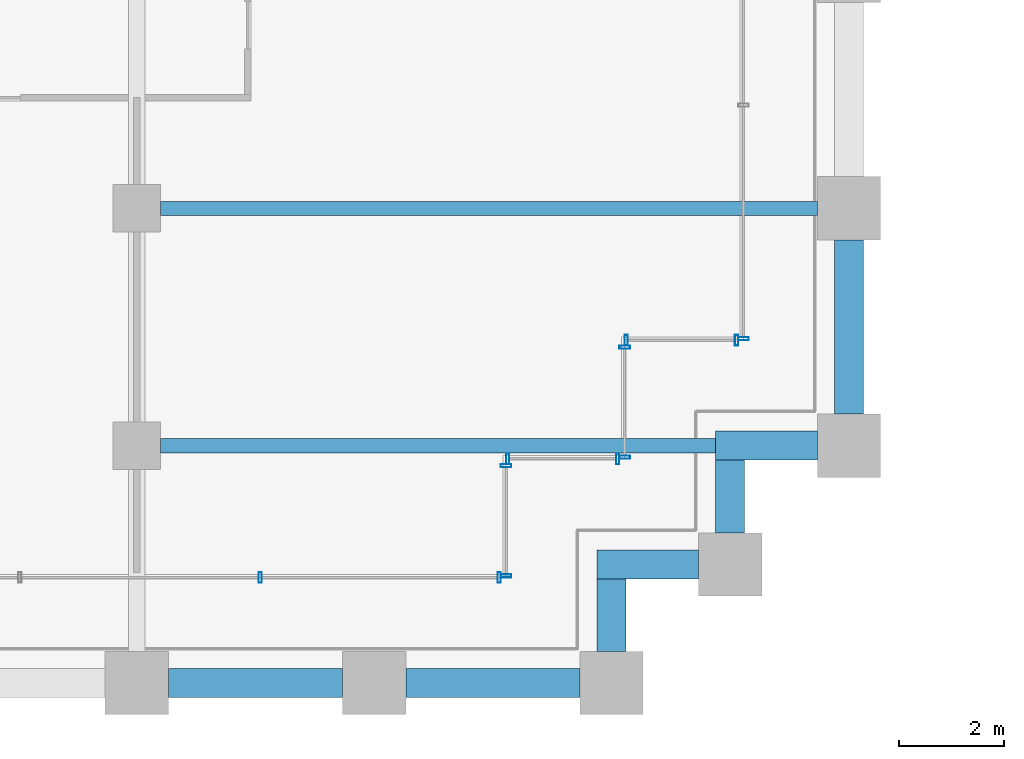
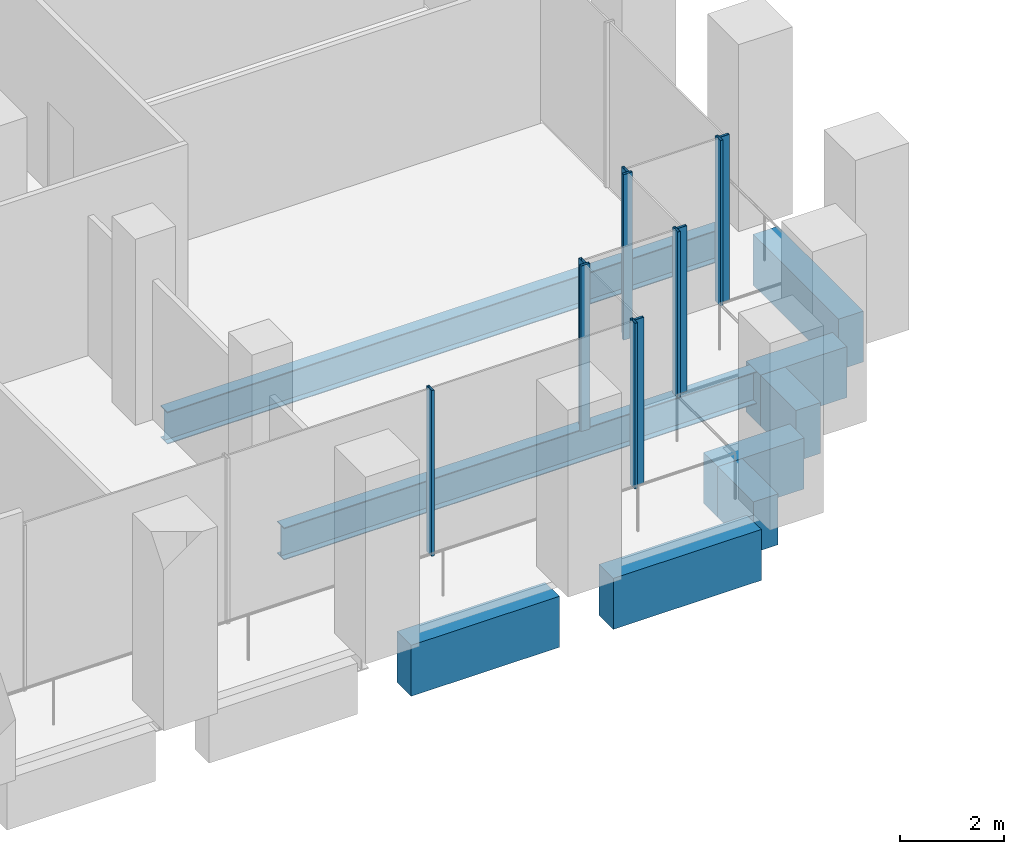
# One storey, part 9 of 36: 11 members, 9 beams, 6 elements without a shape of their own.
"""IFC4 building model written with IfcOpenShell, lengths in metres."""

from ifc_helpers import new_model, si_unit, direction, frame, origin, origin_2d, place, context, subcontext, project, spatial, rectangle, hollow_rectangle, i_section, extrude, material, material_profile, profile_set, type_object, element, aggregate, save


model = new_model("IFC4")

# Units and contexts
model_context = context("Model", 3, precision=1e-05, world=origin(), true_north=direction((0.0, 1.0)))
body_context = subcontext(model_context, "Body", "Model", "MODEL_VIEW")
ifc_project = project(units=[si_unit("LENGTHUNIT", "METRE"), si_unit("AREAUNIT", "SQUARE_METRE"), si_unit("VOLUMEUNIT", "CUBIC_METRE"), si_unit("PLANEANGLEUNIT", "RADIAN"), si_unit("MASSUNIT", "GRAM", prefix="KILO")], contexts=[model_context])

# Site, building, storey
site_placement = place(None, origin())
site = spatial("IfcSite", under=ifc_project, at=site_placement, CompositionType="ELEMENT")
building_placement = place(site_placement, origin())
building = spatial("IfcBuilding", under=site, at=building_placement, Name="Altepetl Exchange Towers", CompositionType="ELEMENT")
storey_placement = place(building_placement, frame((0.0, 0.0, 29.800048828125)))
storey = spatial("IfcBuildingStorey", under=building, at=storey_placement, Name="L06", CompositionType="ELEMENT", Elevation=29.800048828125)

# Beams
ifc_material_1 = material(Name="Steel S355", Category="steel")
ifc_material_profile_1 = material_profile(ifc_material_1, i_section(OverallWidth=0.26611328125, OverallDepth=0.758056640625, WebThickness=0.013916015625, FlangeThickness=0.019287109375, at=origin_2d()), Name="W30X108")
ifc_profile_set_1 = profile_set([ifc_material_profile_1], Name="Steel S355")
beam_type_1 = type_object("IfcBeamType", Name="Floor beam W30X108", PredefinedType="BEAM", material=ifc_profile_set_1)
beam_1_placement = place(storey_placement, frame((58.949951171875, 31.5, -0.553955078125), z_axis=(1.0, 0.0, 0.0), x_axis=(0.0, 1.0, 0.0)))
element("IfcBeam", 1, at=beam_1_placement, inside=storey, type_object=beam_type_1, Name="bm:A:L06:006", PredefinedType="BEAM", context=body_context, shape_type="SweptSolid", body=[
    extrude(i_section(OverallWidth=0.26611328125, OverallDepth=0.758056640625, WebThickness=0.013916015625, FlangeThickness=0.019287109375, at=origin_2d()), origin(), (0.0, 0.0, 1.0), 10.525146484375),
])
beam_2_placement = place(storey_placement, frame((58.949951171875, 36.0, -0.553955078125), z_axis=(1.0, 0.0, 0.0), x_axis=(0.0, 1.0, 0.0)))
element("IfcBeam", 2, at=beam_2_placement, inside=storey, type_object=beam_type_1, Name="bm:A:L06:007", PredefinedType="BEAM", context=body_context, shape_type="SweptSolid", body=[
    extrude(i_section(OverallWidth=0.26611328125, OverallDepth=0.758056640625, WebThickness=0.013916015625, FlangeThickness=0.019287109375, at=origin_2d()), origin(), (0.0, 0.0, 1.0), 12.449951171875),
])

# Curtain wall, members
ifc_material_2 = material(Name="Aluminium 6063-T6 glazing", Category="aluminium")
curtain_wall_type = type_object("IfcCurtainWallType", Name="Trading floor glazing system", PredefinedType="NOTDEFINED", material=ifc_material_2)
curtain_wall_1_placement = place(storey_placement, origin())
curtain_wall_1 = element("IfcCurtainWall", 3, at=curtain_wall_1_placement, inside=storey, type_object=curtain_wall_type, Name="CW2 run", PredefinedType="NOTDEFINED")
ifc_material_3 = material(Name="Aluminium 6063-T6", Category="aluminium")
ifc_material_profile_2 = material_profile(ifc_material_3, hollow_rectangle(XDim=0.06005859375, YDim=0.199951171875, WallThickness=0.0029296875, at=origin_2d()), Name="Mullion 60x200 aluminium")
ifc_profile_set_2 = profile_set([ifc_material_profile_2], Name="Aluminium 6063-T6")
member_type = type_object("IfcMemberType", Name="Mullion 60x200 aluminium", PredefinedType="MULLION", material=ifc_profile_set_2)
member_1_placement = place(storey_placement, frame((60.8427734375, 29.0, 0.0)))
member_1 = element("IfcMember", 4, at=member_1_placement, type_object=member_type, Name="MU2 mullion", PredefinedType="MULLION", context=body_context, shape_type="SweptSolid", body=[
    extrude(hollow_rectangle(XDim=0.06005859375, YDim=0.199951171875, WallThickness=0.0029296875, at=origin_2d()), origin(), (0.0, 0.0, 1.0), 3.89990234375),
])
member_2_placement = place(storey_placement, frame((65.3701171875, 29.0, 0.0)))
member_2 = element("IfcMember", 5, at=member_2_placement, type_object=member_type, Name="MU2 mullion", PredefinedType="MULLION", context=body_context, shape_type="SweptSolid", body=[
    extrude(hollow_rectangle(XDim=0.06005859375, YDim=0.199951171875, WallThickness=0.0029296875, at=origin_2d()), origin(), (0.0, 0.0, 1.0), 3.89990234375),
])
aggregate(curtain_wall_1, [member_1, member_2])

curtain_wall_2_placement = place(storey_placement, origin())
curtain_wall_2 = element("IfcCurtainWall", 6, at=curtain_wall_2_placement, inside=storey, type_object=curtain_wall_type, Name="CW2 run", PredefinedType="NOTDEFINED")
member_3_placement = place(storey_placement, frame((65.5, 29.030029296875, 0.0), z_axis=(0.0, 0.0, 1.0), x_axis=(0.0, 1.0, 0.0)))
member_3 = element("IfcMember", 7, at=member_3_placement, type_object=member_type, Name="MU2 mullion", PredefinedType="MULLION", context=body_context, shape_type="SweptSolid", body=[
    extrude(hollow_rectangle(XDim=0.06005859375, YDim=0.199951171875, WallThickness=0.0029296875, at=origin_2d()), origin(), (0.0, 0.0, 1.0), 3.89990234375),
])
member_4_placement = place(storey_placement, frame((65.5, 31.1201171875, 0.0), z_axis=(0.0, 0.0, 1.0), x_axis=(0.0, 1.0, 0.0)))
member_4 = element("IfcMember", 8, at=member_4_placement, type_object=member_type, Name="MU2 mullion", PredefinedType="MULLION", context=body_context, shape_type="SweptSolid", body=[
    extrude(hollow_rectangle(XDim=0.06005859375, YDim=0.199951171875, WallThickness=0.0029296875, at=origin_2d()), origin(), (0.0, 0.0, 1.0), 3.89990234375),
])
aggregate(curtain_wall_2, [member_3, member_4])

curtain_wall_3_placement = place(storey_placement, origin())
curtain_wall_3 = element("IfcCurtainWall", 9, at=curtain_wall_3_placement, inside=storey, type_object=curtain_wall_type, Name="CW2 run", PredefinedType="NOTDEFINED")
member_5_placement = place(storey_placement, frame((65.530029296875, 31.25, 0.0)))
member_5 = element("IfcMember", 10, at=member_5_placement, type_object=member_type, Name="MU2 mullion", PredefinedType="MULLION", context=body_context, shape_type="SweptSolid", body=[
    extrude(hollow_rectangle(XDim=0.06005859375, YDim=0.199951171875, WallThickness=0.0029296875, at=origin_2d()), origin(), (0.0, 0.0, 1.0), 3.89990234375),
])
member_6_placement = place(storey_placement, frame((67.6201171875, 31.25, 0.0)))
member_6 = element("IfcMember", 11, at=member_6_placement, type_object=member_type, Name="MU2 mullion", PredefinedType="MULLION", context=body_context, shape_type="SweptSolid", body=[
    extrude(hollow_rectangle(XDim=0.06005859375, YDim=0.199951171875, WallThickness=0.0029296875, at=origin_2d()), origin(), (0.0, 0.0, 1.0), 3.89990234375),
])
aggregate(curtain_wall_3, [member_5, member_6])

curtain_wall_4_placement = place(storey_placement, origin())
curtain_wall_4 = element("IfcCurtainWall", 12, at=curtain_wall_4_placement, inside=storey, type_object=curtain_wall_type, Name="CW2 run", PredefinedType="NOTDEFINED")
member_7_placement = place(storey_placement, frame((67.75, 31.280029296875, 0.0), z_axis=(0.0, 0.0, 1.0), x_axis=(0.0, 1.0, 0.0)))
member_7 = element("IfcMember", 13, at=member_7_placement, type_object=member_type, Name="MU2 mullion", PredefinedType="MULLION", context=body_context, shape_type="SweptSolid", body=[
    extrude(hollow_rectangle(XDim=0.06005859375, YDim=0.199951171875, WallThickness=0.0029296875, at=origin_2d()), origin(), (0.0, 0.0, 1.0), 3.89990234375),
])
member_8_placement = place(storey_placement, frame((67.75, 33.3701171875, 0.0), z_axis=(0.0, 0.0, 1.0), x_axis=(0.0, 1.0, 0.0)))
member_8 = element("IfcMember", 14, at=member_8_placement, type_object=member_type, Name="MU2 mullion", PredefinedType="MULLION", context=body_context, shape_type="SweptSolid", body=[
    extrude(hollow_rectangle(XDim=0.06005859375, YDim=0.199951171875, WallThickness=0.0029296875, at=origin_2d()), origin(), (0.0, 0.0, 1.0), 3.89990234375),
])
aggregate(curtain_wall_4, [member_7, member_8])

curtain_wall_5_placement = place(storey_placement, origin())
curtain_wall_5 = element("IfcCurtainWall", 15, at=curtain_wall_5_placement, inside=storey, type_object=curtain_wall_type, Name="CW2 run", PredefinedType="NOTDEFINED")
member_9_placement = place(storey_placement, frame((67.780029296875, 33.5, 0.0)))
member_9 = element("IfcMember", 16, at=member_9_placement, type_object=member_type, Name="MU2 mullion", PredefinedType="MULLION", context=body_context, shape_type="SweptSolid", body=[
    extrude(hollow_rectangle(XDim=0.06005859375, YDim=0.199951171875, WallThickness=0.0029296875, at=origin_2d()), origin(), (0.0, 0.0, 1.0), 3.89990234375),
])
member_10_placement = place(storey_placement, frame((69.8701171875, 33.5, 0.0)))
member_10 = element("IfcMember", 17, at=member_10_placement, type_object=member_type, Name="MU2 mullion", PredefinedType="MULLION", context=body_context, shape_type="SweptSolid", body=[
    extrude(hollow_rectangle(XDim=0.06005859375, YDim=0.199951171875, WallThickness=0.0029296875, at=origin_2d()), origin(), (0.0, 0.0, 1.0), 3.89990234375),
])
aggregate(curtain_wall_5, [member_9, member_10])

# Curtain wall, member
curtain_wall_6_placement = place(storey_placement, origin())
curtain_wall_6 = element("IfcCurtainWall", 18, at=curtain_wall_6_placement, inside=storey, type_object=curtain_wall_type, Name="CW2 run", PredefinedType="NOTDEFINED")
member_11_placement = place(storey_placement, frame((70.0, 33.530029296875, 0.0), z_axis=(0.0, 0.0, 1.0), x_axis=(0.0, 1.0, 0.0)))
member_11 = element("IfcMember", 19, at=member_11_placement, type_object=member_type, Name="MU2 mullion", PredefinedType="MULLION", context=body_context, shape_type="SweptSolid", body=[
    extrude(hollow_rectangle(XDim=0.06005859375, YDim=0.199951171875, WallThickness=0.0029296875, at=origin_2d()), origin(), (0.0, 0.0, 1.0), 3.89990234375),
])
aggregate(curtain_wall_6, [member_11])

# Beams
ifc_material_4 = material(Name="Concrete C50/60 precast with cantera amarilla facing", Category="concrete")
ifc_material_profile_3 = material_profile(ifc_material_4, rectangle(XDim=0.550048828125, YDim=1.199951171875, at=origin_2d()), Name="550 x 1200")
ifc_profile_set_3 = profile_set([ifc_material_profile_3], Name="Concrete C50/60 precast with cantera amarilla facing")
beam_type_2 = type_object("IfcBeamType", Name="Spandrel beam 550x1200 cantera amarilla", PredefinedType="SPANDREL", material=ifc_profile_set_3)
for number, where, z_axis, x_axis, name in (
    (20, (59.10009765625, 27.0, -0.775146484375), (1.0, 0.0, 0.0), (0.0, 1.0, 0.0), "sp:A:L06:006"),
    (21, (63.60009765625, 27.0, -0.775146484375), (1.0, 0.0, 0.0), (0.0, 1.0, 0.0), "sp:A:L06:007"),
):
    element("IfcBeam", number, at=place(storey_placement, frame(where, z_axis=z_axis, x_axis=x_axis)), inside=storey, type_object=beam_type_2, Name=name, PredefinedType="SPANDREL", context=body_context, shape_type="SweptSolid", body=[
        extrude(rectangle(XDim=0.550048828125, YDim=1.199951171875, at=origin_2d()), origin(), (0.0, 0.0, 1.0), 3.2998046875),
    ])
beam_3_placement = place(storey_placement, frame((67.5, 27.60009765625, -0.775146484375), z_axis=(0.0, 1.0, 0.0), x_axis=(-1.0, 0.0, 0.0)))
element("IfcBeam", 22, at=beam_3_placement, inside=storey, type_object=beam_type_2, Name="sp:A:L06:008", PredefinedType="SPANDREL", context=body_context, shape_type="SweptSolid", body=[
    extrude(rectangle(XDim=0.550048828125, YDim=1.199951171875, at=origin_2d()), origin(), (0.0, 0.0, 1.0), 1.375),
])
beam_4_placement = place(storey_placement, frame((67.22509765625, 29.25, -0.775146484375), z_axis=(1.0, 0.0, 0.0), x_axis=(0.0, 1.0, 0.0)))
element("IfcBeam", 23, at=beam_4_placement, inside=storey, type_object=beam_type_2, Name="sp:A:L06:009", PredefinedType="SPANDREL", context=body_context, shape_type="SweptSolid", body=[
    extrude(rectangle(XDim=0.550048828125, YDim=1.199951171875, at=origin_2d()), origin(), (0.0, 0.0, 1.0), 1.9248046875),
])
beam_5_placement = place(storey_placement, frame((69.75, 29.85009765625, -0.775146484375), z_axis=(0.0, 1.0, 0.0), x_axis=(-1.0, 0.0, 0.0)))
element("IfcBeam", 24, at=beam_5_placement, inside=storey, type_object=beam_type_2, Name="sp:A:L06:010", PredefinedType="SPANDREL", context=body_context, shape_type="SweptSolid", body=[
    extrude(rectangle(XDim=0.550048828125, YDim=1.199951171875, at=origin_2d()), origin(), (0.0, 0.0, 1.0), 1.375),
])
beam_6_placement = place(storey_placement, frame((69.47509765625, 31.5, -0.775146484375), z_axis=(1.0, 0.0, 0.0), x_axis=(0.0, 1.0, 0.0)))
element("IfcBeam", 25, at=beam_6_placement, inside=storey, type_object=beam_type_2, Name="sp:A:L06:011", PredefinedType="SPANDREL", context=body_context, shape_type="SweptSolid", body=[
    extrude(rectangle(XDim=0.550048828125, YDim=1.199951171875, at=origin_2d()), origin(), (0.0, 0.0, 1.0), 1.9248046875),
])
beam_7_placement = place(storey_placement, frame((72.0, 32.10009765625, -0.775146484375), z_axis=(0.0, 1.0, 0.0), x_axis=(-1.0, 0.0, 0.0)))
element("IfcBeam", 26, at=beam_7_placement, inside=storey, type_object=beam_type_2, Name="sp:A:L06:012", PredefinedType="SPANDREL", context=body_context, shape_type="SweptSolid", body=[
    extrude(rectangle(XDim=0.550048828125, YDim=1.199951171875, at=origin_2d()), origin(), (0.0, 0.0, 1.0), 3.2998046875),
])

save(model, "model.ifc")
